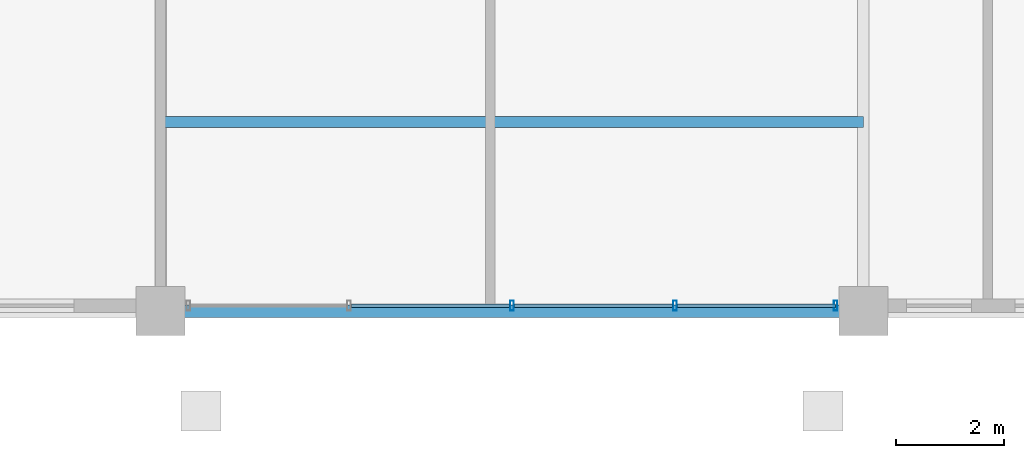
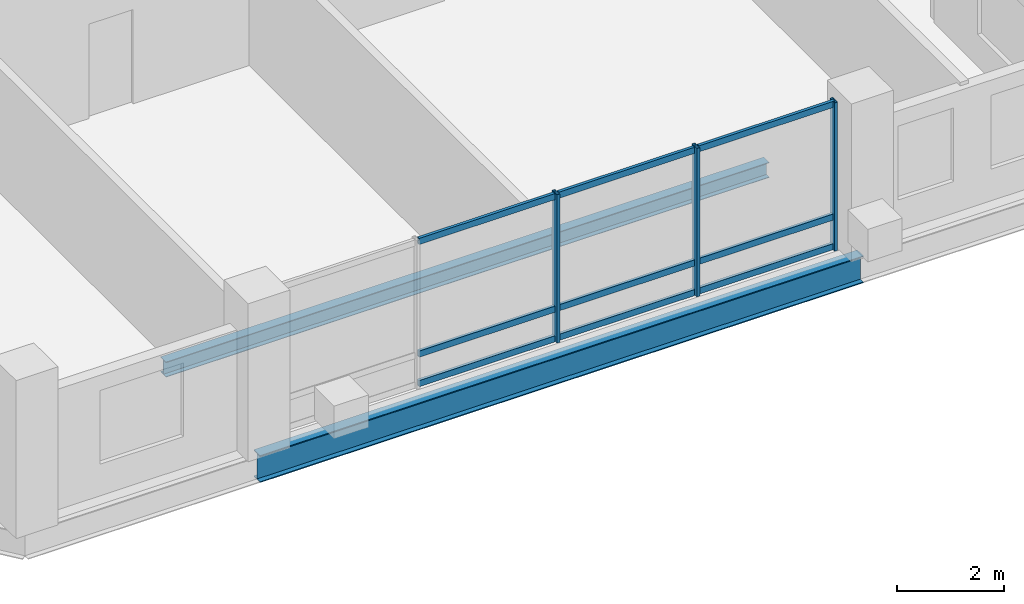
# One storey, part 4 of 21: 12 members, 2 beams, 1 element without a shape of its own.
"""IFC4 building model written with IfcOpenShell, lengths in metres."""

from ifc_helpers import new_model, si_unit, direction, frame, origin, origin_2d, place, context, subcontext, project, spatial, hollow_rectangle, i_section, extrude, material, layer, layer_set, material_profile, profile_set, type_object, element, aggregate, save


model = new_model("IFC4")

# Units and contexts
model_context = context("Model", 3, precision=1e-05, world=origin(), true_north=direction((0.0, 1.0)))
body_context = subcontext(model_context, "Body", "Model", "MODEL_VIEW")
ifc_project = project(units=[si_unit("LENGTHUNIT", "METRE"), si_unit("AREAUNIT", "SQUARE_METRE"), si_unit("VOLUMEUNIT", "CUBIC_METRE"), si_unit("PLANEANGLEUNIT", "RADIAN"), si_unit("MASSUNIT", "GRAM", prefix="KILO")], contexts=[model_context])

# Site, building, storey
site_placement = place(None, origin())
site = spatial("IfcSite", under=ifc_project, at=site_placement, CompositionType="ELEMENT")
building_placement = place(site_placement, origin())
building = spatial("IfcBuilding", under=site, at=building_placement, Name="Barlavira Tower and Art Museum", CompositionType="ELEMENT")
storey_placement = place(building_placement, frame((0.0, 0.0, 276.300048828125)))
storey = spatial("IfcBuildingStorey", under=building, at=storey_placement, Name="L72", CompositionType="ELEMENT", Elevation=276.300048828125)

# Curtain wall, members
ifc_material_1 = material(Name="Low-iron coastal laminated glass", Category="glass")
ifc_layer = layer(ifc_material_1, 0.2099609375, Name="Low-iron coastal laminated glass")
ifc_layer_set = layer_set([ifc_layer], Name="Low-iron coastal laminated glass")
curtain_wall_type = type_object("IfcCurtainWallType", Name="Pale-Metal Unitised Curtain Wall Zone 4", PredefinedType="NOTDEFINED", material=ifc_layer_set)
curtain_wall_placement = place(storey_placement, origin())
curtain_wall = element("IfcCurtainWall", 1, at=curtain_wall_placement, inside=storey, type_object=curtain_wall_type, Name="L72 Curtain Wall CW4-L72-S-B2", PredefinedType="NOTDEFINED")
ifc_material_2 = material(Name="Pale anodised aluminium", Category="aluminium")
ifc_material_profile_1 = material_profile(ifc_material_2, hollow_rectangle(XDim=0.06494140625, YDim=0.179931640625, WallThickness=0.00390625, at=origin_2d()), Name="ALU-MULL 65x180x4")
ifc_profile_set_1 = profile_set([ifc_material_profile_1], Name="Pale anodised aluminium")
member_type_1 = type_object("IfcMemberType", Name="Curtain Wall Pale-Metal Mullion 65x180", PredefinedType="MULLION", material=ifc_profile_set_1)
member_1_placement = place(storey_placement, frame((0.0, -19.89990234375, 0.0), z_axis=(0.0, 0.0, 1.0), x_axis=(1.0, 0.0, 0.0)))
member_1 = element("IfcMember", 2, at=member_1_placement, type_object=member_type_1, Name="CW4-L72-S-B2 Mullion 2", PredefinedType="MULLION", context=body_context, shape_type="SweptSolid", body=[
    extrude(hollow_rectangle(XDim=0.06494140625, YDim=0.179931640625, WallThickness=0.00390625, at=origin_2d()), origin(), (0.0, 0.0, 1.0), 3.3798828125),
])
member_2_placement = place(storey_placement, frame((3.014892578125, -19.89990234375, 0.0), z_axis=(0.0, 0.0, 1.0), x_axis=(1.0, 0.0, 0.0)))
member_2 = element("IfcMember", 3, at=member_2_placement, type_object=member_type_1, Name="CW4-L72-S-B2 Mullion 3", PredefinedType="MULLION", context=body_context, shape_type="SweptSolid", body=[
    extrude(hollow_rectangle(XDim=0.06494140625, YDim=0.179931640625, WallThickness=0.00390625, at=origin_2d()), origin(), (0.0, 0.0, 1.0), 3.3798828125),
])
member_3_placement = place(storey_placement, frame((5.985107421875, -19.89990234375, 0.0), z_axis=(0.0, 0.0, 1.0), x_axis=(1.0, 0.0, 0.0)))
member_3 = element("IfcMember", 4, at=member_3_placement, type_object=member_type_1, Name="CW4-L72-S-B2 Mullion 4", PredefinedType="MULLION", context=body_context, shape_type="SweptSolid", body=[
    extrude(hollow_rectangle(XDim=0.06494140625, YDim=0.179931640625, WallThickness=0.00390625, at=origin_2d()), origin(), (0.0, 0.0, 1.0), 3.3798828125),
])
ifc_material_profile_2 = material_profile(ifc_material_2, hollow_rectangle(XDim=0.06494140625, YDim=0.139892578125, WallThickness=0.00390625, at=origin_2d()), Name="ALU-TRAN 65x140x4")
ifc_profile_set_2 = profile_set([ifc_material_profile_2], Name="Pale anodised aluminium")
member_type_2 = type_object("IfcMemberType", Name="Curtain Wall Pale-Metal Transom 65x140", PredefinedType="USERDEFINED", material=ifc_profile_set_2)
member_4_placement = place(storey_placement, frame((-2.969970703125, -19.89990234375, 0.070068359375), z_axis=(1.0, 0.0, 0.0), x_axis=(0.0, 1.0, 0.0)))
member_4 = element("IfcMember", 5, at=member_4_placement, type_object=member_type_2, Name="CW4-L72-S-B2 Transom 1.1", ObjectType="TRANSOM", PredefinedType="USERDEFINED", context=body_context, shape_type="SweptSolid", body=[
    extrude(hollow_rectangle(XDim=0.06494140625, YDim=0.139892578125, WallThickness=0.00390625, at=origin_2d()), origin(), (0.0, 0.0, 1.0), 2.925048828125),
])
member_5_placement = place(storey_placement, frame((-2.969970703125, -19.89990234375, 0.743896484375), z_axis=(1.0, 0.0, 0.0), x_axis=(0.0, 1.0, 0.0)))
member_5 = element("IfcMember", 6, at=member_5_placement, type_object=member_type_2, Name="CW4-L72-S-B2 Transom 1.2", ObjectType="TRANSOM", PredefinedType="USERDEFINED", context=body_context, shape_type="SweptSolid", body=[
    extrude(hollow_rectangle(XDim=0.06494140625, YDim=0.139892578125, WallThickness=0.00390625, at=origin_2d()), origin(), (0.0, 0.0, 1.0), 2.925048828125),
])
member_6_placement = place(storey_placement, frame((-2.969970703125, -19.89990234375, 3.31005859375), z_axis=(1.0, 0.0, 0.0), x_axis=(0.0, 1.0, 0.0)))
member_6 = element("IfcMember", 7, at=member_6_placement, type_object=member_type_2, Name="CW4-L72-S-B2 Transom 1.3", ObjectType="TRANSOM", PredefinedType="USERDEFINED", context=body_context, shape_type="SweptSolid", body=[
    extrude(hollow_rectangle(XDim=0.06494140625, YDim=0.139892578125, WallThickness=0.00390625, at=origin_2d()), origin(), (0.0, 0.0, 1.0), 2.925048828125),
])
member_7_placement = place(storey_placement, frame((0.044921875, -19.89990234375, 0.070068359375), z_axis=(1.0, 0.0, 0.0), x_axis=(0.0, 1.0, 0.0)))
member_7 = element("IfcMember", 8, at=member_7_placement, type_object=member_type_2, Name="CW4-L72-S-B2 Transom 2.1", ObjectType="TRANSOM", PredefinedType="USERDEFINED", context=body_context, shape_type="SweptSolid", body=[
    extrude(hollow_rectangle(XDim=0.06494140625, YDim=0.139892578125, WallThickness=0.00390625, at=origin_2d()), origin(), (0.0, 0.0, 1.0), 2.925048828125),
])
member_8_placement = place(storey_placement, frame((0.044921875, -19.89990234375, 0.743896484375), z_axis=(1.0, 0.0, 0.0), x_axis=(0.0, 1.0, 0.0)))
member_8 = element("IfcMember", 9, at=member_8_placement, type_object=member_type_2, Name="CW4-L72-S-B2 Transom 2.2", ObjectType="TRANSOM", PredefinedType="USERDEFINED", context=body_context, shape_type="SweptSolid", body=[
    extrude(hollow_rectangle(XDim=0.06494140625, YDim=0.139892578125, WallThickness=0.00390625, at=origin_2d()), origin(), (0.0, 0.0, 1.0), 2.925048828125),
])
member_9_placement = place(storey_placement, frame((0.044921875, -19.89990234375, 3.31005859375), z_axis=(1.0, 0.0, 0.0), x_axis=(0.0, 1.0, 0.0)))
member_9 = element("IfcMember", 10, at=member_9_placement, type_object=member_type_2, Name="CW4-L72-S-B2 Transom 2.3", ObjectType="TRANSOM", PredefinedType="USERDEFINED", context=body_context, shape_type="SweptSolid", body=[
    extrude(hollow_rectangle(XDim=0.06494140625, YDim=0.139892578125, WallThickness=0.00390625, at=origin_2d()), origin(), (0.0, 0.0, 1.0), 2.925048828125),
])
member_10_placement = place(storey_placement, frame((3.06005859375, -19.89990234375, 0.070068359375), z_axis=(1.0, 0.0, 0.0), x_axis=(0.0, 1.0, 0.0)))
member_10 = element("IfcMember", 11, at=member_10_placement, type_object=member_type_2, Name="CW4-L72-S-B2 Transom 3.1", ObjectType="TRANSOM", PredefinedType="USERDEFINED", context=body_context, shape_type="SweptSolid", body=[
    extrude(hollow_rectangle(XDim=0.06494140625, YDim=0.139892578125, WallThickness=0.00390625, at=origin_2d()), origin(), (0.0, 0.0, 1.0), 2.925048828125),
])
member_11_placement = place(storey_placement, frame((3.06005859375, -19.89990234375, 0.743896484375), z_axis=(1.0, 0.0, 0.0), x_axis=(0.0, 1.0, 0.0)))
member_11 = element("IfcMember", 12, at=member_11_placement, type_object=member_type_2, Name="CW4-L72-S-B2 Transom 3.2", ObjectType="TRANSOM", PredefinedType="USERDEFINED", context=body_context, shape_type="SweptSolid", body=[
    extrude(hollow_rectangle(XDim=0.06494140625, YDim=0.139892578125, WallThickness=0.00390625, at=origin_2d()), origin(), (0.0, 0.0, 1.0), 2.925048828125),
])
member_12_placement = place(storey_placement, frame((3.06005859375, -19.89990234375, 3.31005859375), z_axis=(1.0, 0.0, 0.0), x_axis=(0.0, 1.0, 0.0)))
member_12 = element("IfcMember", 13, at=member_12_placement, type_object=member_type_2, Name="CW4-L72-S-B2 Transom 3.3", ObjectType="TRANSOM", PredefinedType="USERDEFINED", context=body_context, shape_type="SweptSolid", body=[
    extrude(hollow_rectangle(XDim=0.06494140625, YDim=0.139892578125, WallThickness=0.00390625, at=origin_2d()), origin(), (0.0, 0.0, 1.0), 2.925048828125),
])
aggregate(curtain_wall, [member_1, member_2, member_3, member_4, member_5, member_6, member_7, member_8, member_9, member_10, member_11, member_12])

# Beams
ifc_material_3 = material(Name="Steel S355", Category="steel")
ifc_material_profile_3 = material_profile(ifc_material_3, i_section(OverallWidth=0.22998046875, OverallDepth=0.616943359375, WebThickness=0.01318359375, FlangeThickness=0.022216796875, at=origin_2d()), Name="W610x140.0")
ifc_profile_set_3 = profile_set([ifc_material_profile_3], Name="Steel S355")
beam_type_1 = type_object("IfcBeamType", Name="Upper Shaft Spandrel Edge Beam W610x140 Steel S355", PredefinedType="SPANDREL", material=ifc_profile_set_3)
beam_1_placement = place(storey_placement, frame((-6.5, -20.0, -0.528564453125), z_axis=(1.0, 0.0, 0.0), x_axis=(0.0, 1.0, 0.0)))
element("IfcBeam", 14, at=beam_1_placement, inside=storey, type_object=beam_type_1, Name="L72 Spandrel 2", PredefinedType="SPANDREL", context=body_context, shape_type="SweptSolid", body=[
    extrude(i_section(OverallWidth=0.22998046875, OverallDepth=0.616943359375, WebThickness=0.01318359375, FlangeThickness=0.022216796875, at=origin_2d()), origin(), (0.0, 0.0, 1.0), 13.0),
])
ifc_material_profile_4 = material_profile(ifc_material_3, i_section(OverallWidth=0.202880859375, OverallDepth=0.346923828125, WebThickness=0.0078125, FlangeThickness=0.013427734375, at=origin_2d()), Name="W360x64.0")
ifc_profile_set_4 = profile_set([ifc_material_profile_4], Name="Steel S355")
beam_type_2 = type_object("IfcBeamType", Name="Zone 4 Composite Floor Joist W360x64 Steel S355", PredefinedType="JOIST", material=ifc_profile_set_4)
beam_2_placement = place(storey_placement, frame((-6.5, -16.5, -0.3935546875), z_axis=(1.0, 0.0, 0.0), x_axis=(0.0, 1.0, 0.0)))
element("IfcBeam", 15, at=beam_2_placement, inside=storey, type_object=beam_type_2, Name="L72 Joist C1", PredefinedType="JOIST", context=body_context, shape_type="SweptSolid", body=[
    extrude(i_section(OverallWidth=0.202880859375, OverallDepth=0.346923828125, WebThickness=0.0078125, FlangeThickness=0.013427734375, at=origin_2d()), origin(), (0.0, 0.0, 1.0), 13.0),
])

save(model, "model.ifc")
